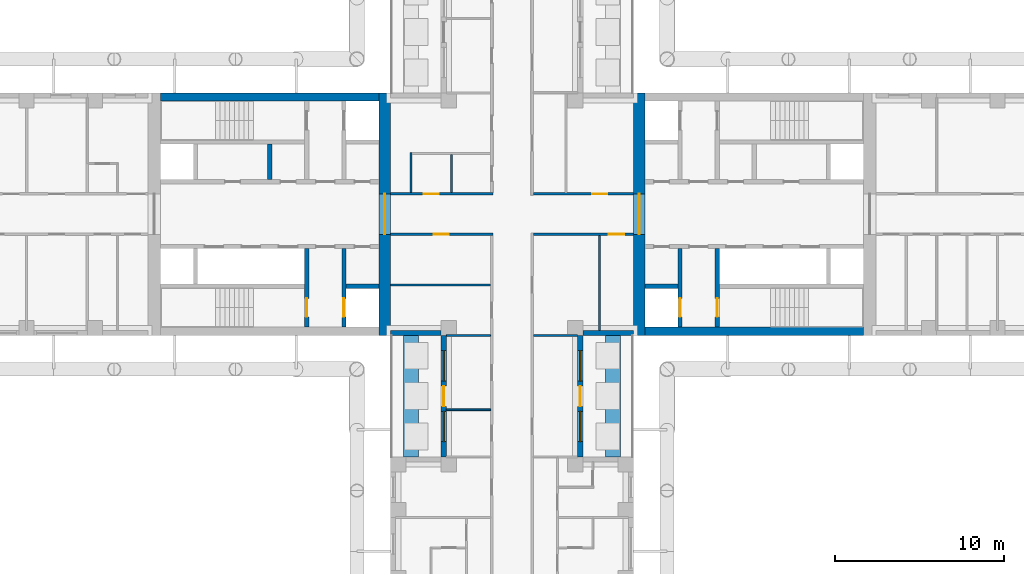
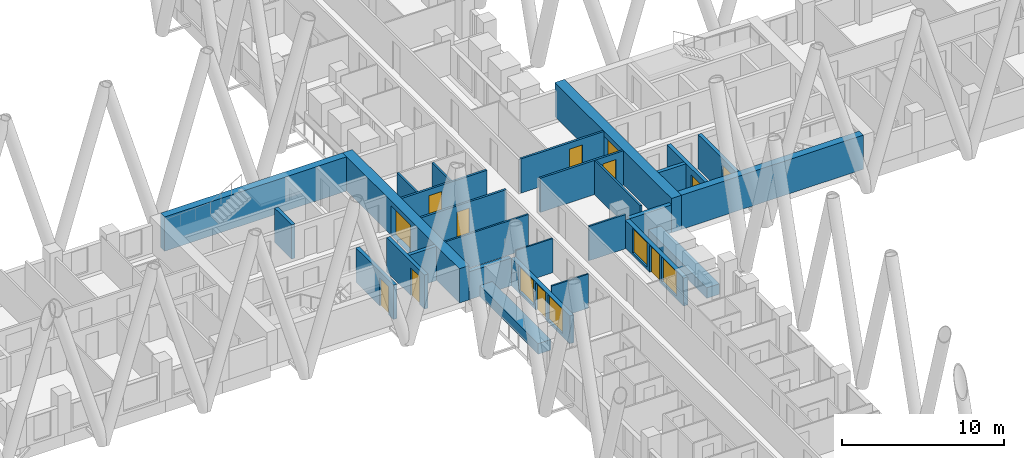
# One storey, part 8 of 16: 28 walls, 12 doors, 4 windows, 16 openings.
"""IFC4 building model written with IfcOpenShell, lengths in metres."""

from ifc_helpers import new_model, si_unit, direction, frame, frame_2d, origin, place, context, subcontext, project, spatial, rectangle, extrude, material, layer, layer_set, type_object, element, fill, save


model = new_model("IFC4")

# Units and contexts
model_context = context("Model", 3, precision=1e-05, world=origin(), true_north=direction((0.0, 1.0)))
body_context = subcontext(model_context, "Body", "Model", "MODEL_VIEW")
ifc_project = project(units=[si_unit("LENGTHUNIT", "METRE"), si_unit("AREAUNIT", "SQUARE_METRE"), si_unit("VOLUMEUNIT", "CUBIC_METRE"), si_unit("PLANEANGLEUNIT", "RADIAN"), si_unit("MASSUNIT", "GRAM", prefix="KILO")], contexts=[model_context])

# Site, building, storey
site_placement = place(None, origin())
site = spatial("IfcSite", under=ifc_project, at=site_placement, CompositionType="ELEMENT")
building_placement = place(site_placement, origin())
building = spatial("IfcBuilding", under=site, at=building_placement, Name="Fustian Cross Tower", CompositionType="ELEMENT")
storey_placement = place(building_placement, frame((0.0, 0.0, 20.699951171875)))
storey = spatial("IfcBuildingStorey", under=building, at=storey_placement, Name="L05", CompositionType="ELEMENT", Elevation=20.699951171875)

# Wall, opening, door
ifc_material_1 = material(Name="Plasterboard on steel stud", Category="steel")
ifc_layer_1 = layer(ifc_material_1, 0.14990234375)
ifc_layer_set_1 = layer_set([ifc_layer_1], Name="Plasterboard on steel stud")
wall_type_1 = type_object("IfcWallType", Name="COMPARTMENT WALL 150 EI 60", PredefinedType="PARTITIONING", material=ifc_layer_set_1)
wall_1_placement = place(storey_placement, frame((-7.199951171875, -1.199951171875, 0.0), z_axis=(0.0, 0.0, 1.0), x_axis=(1.0, 0.0, 0.0)))
wall_1 = element("IfcWall", 1, at=wall_1_placement, inside=storey, type_object=wall_type_1, Name="Partition 15", PredefinedType="PARTITIONING", context=body_context, shape_type="SweptSolid", body=[
    extrude(rectangle(XDim=6.074951171875, YDim=0.14990234375, at=frame_2d((3.03759765625, 0.0))), origin(), (0.0, 0.0, 1.0), 2.574951171875),
])
opening_1_placement = place(wall_1_placement, frame((2.550048828125, 0.0, 0.0)))
opening_1 = element("IfcOpeningElement", 2, at=opening_1_placement, cuts=wall_1, Name="Opening D05008", PredefinedType="OPENING", context=body_context, shape_type="SweptSolid", body=[
    extrude(rectangle(XDim=0.89990234375, YDim=2.10009765625, at=frame_2d((0.449951171875, 1.050048828125))), frame((0.0, 0.0849609375, 0.0), z_axis=(0.0, -1.0, 0.0), x_axis=(1.0, 0.0, 0.0)), (0.0, 0.0, 1.0), 0.169921875),
])
ifc_material_2 = material(Name="Timber fire door set", Category="wood")
door_type_1 = type_object("IfcDoorType", Name="FIRE SWING DOOR 900 FD30S", OperationType="SINGLE_SWING_LEFT", PredefinedType="DOOR", material=ifc_material_2)
door_1_placement = place(opening_1_placement, frame((0.89990234375, 0.0, 0.0), z_axis=(0.0, 0.0, 1.0), x_axis=(-1.0, 0.0, 0.0)))
door_1 = element("IfcDoor", 3, at=door_1_placement, inside=storey, type_object=door_type_1, Name="Door D05008", OperationType="SINGLE_SWING_RIGHT", OverallHeight=2.10009765625, OverallWidth=0.89990234375, PredefinedType="DOOR", context=body_context, shape_type="SweptSolid", body=[
    extrude(rectangle(XDim=0.89990234375, YDim=2.10009765625, at=frame_2d((0.449951171875, 1.050048828125))), frame((0.0, 0.02490234375, 0.0), z_axis=(0.0, -1.0, 0.0), x_axis=(1.0, 0.0, 0.0)), (0.0, 0.0, 1.0), 0.050048828125),
])
fill(opening_1, door_1)

wall_2_placement = place(storey_placement, frame((-7.199951171875, 1.199951171875, 0.0), z_axis=(0.0, 0.0, 1.0), x_axis=(1.0, 0.0, 0.0)))
wall_2 = element("IfcWall", 4, at=wall_2_placement, inside=storey, type_object=wall_type_1, Name="Partition 16", PredefinedType="PARTITIONING", context=body_context, shape_type="SweptSolid", body=[
    extrude(rectangle(XDim=6.074951171875, YDim=0.14990234375, at=frame_2d((3.03759765625, 0.0))), origin(), (0.0, 0.0, 1.0), 2.574951171875),
])
opening_2_placement = place(wall_2_placement, frame((1.949951171875, 0.0, 0.0)))
opening_2 = element("IfcOpeningElement", 5, at=opening_2_placement, cuts=wall_2, Name="Opening D05004", PredefinedType="OPENING", context=body_context, shape_type="SweptSolid", body=[
    extrude(rectangle(XDim=0.89990234375, YDim=2.10009765625, at=frame_2d((0.449951171875, 1.050048828125))), frame((0.0, 0.0849609375, 0.0), z_axis=(0.0, -1.0, 0.0), x_axis=(1.0, 0.0, 0.0)), (0.0, 0.0, 1.0), 0.169921875),
])
door_2_placement = place(opening_2_placement, origin())
door_2 = element("IfcDoor", 6, at=door_2_placement, inside=storey, type_object=door_type_1, Name="Door D05004", OperationType="SINGLE_SWING_LEFT", OverallHeight=2.10009765625, OverallWidth=0.89990234375, PredefinedType="DOOR", context=body_context, shape_type="SweptSolid", body=[
    extrude(rectangle(XDim=0.89990234375, YDim=2.10009765625, at=frame_2d((0.449951171875, 1.050048828125))), frame((0.0, 0.02490234375, 0.0), z_axis=(0.0, -1.0, 0.0), x_axis=(1.0, 0.0, 0.0)), (0.0, 0.0, 1.0), 0.050048828125),
])
fill(opening_2, door_2)

wall_3_placement = place(storey_placement, frame((1.27490234375, -1.199951171875, 0.0), z_axis=(0.0, 0.0, 1.0), x_axis=(1.0, 0.0, 0.0)))
wall_3 = element("IfcWall", 7, at=wall_3_placement, inside=storey, type_object=wall_type_1, Name="Partition 57", PredefinedType="PARTITIONING", context=body_context, shape_type="SweptSolid", body=[
    extrude(rectangle(XDim=5.925048828125, YDim=0.14990234375, at=frame_2d((2.96240234375, 0.0))), origin(), (0.0, 0.0, 1.0), 2.574951171875),
])
opening_3_placement = place(wall_3_placement, frame((4.47509765625, 0.0, 0.0)))
opening_3 = element("IfcOpeningElement", 8, at=opening_3_placement, cuts=wall_3, Name="Opening D05007", PredefinedType="OPENING", context=body_context, shape_type="SweptSolid", body=[
    extrude(rectangle(XDim=0.89990234375, YDim=2.10009765625, at=frame_2d((0.449951171875, 1.050048828125))), frame((0.0, 0.0849609375, 0.0), z_axis=(0.0, -1.0, 0.0), x_axis=(1.0, 0.0, 0.0)), (0.0, 0.0, 1.0), 0.169921875),
])
door_3_placement = place(opening_3_placement, frame((0.89990234375, 0.0, 0.0), z_axis=(0.0, 0.0, 1.0), x_axis=(-1.0, 0.0, 0.0)))
door_3 = element("IfcDoor", 9, at=door_3_placement, inside=storey, type_object=door_type_1, Name="Door D05007", OperationType="SINGLE_SWING_RIGHT", OverallHeight=2.10009765625, OverallWidth=0.89990234375, PredefinedType="DOOR", context=body_context, shape_type="SweptSolid", body=[
    extrude(rectangle(XDim=0.89990234375, YDim=2.10009765625, at=frame_2d((0.449951171875, 1.050048828125))), frame((0.0, 0.02490234375, 0.0), z_axis=(0.0, -1.0, 0.0), x_axis=(1.0, 0.0, 0.0)), (0.0, 0.0, 1.0), 0.050048828125),
])
fill(opening_3, door_3)

wall_4_placement = place(storey_placement, frame((1.27490234375, 1.199951171875, 0.0), z_axis=(0.0, 0.0, 1.0), x_axis=(1.0, 0.0, 0.0)))
wall_4 = element("IfcWall", 10, at=wall_4_placement, inside=storey, type_object=wall_type_1, Name="Partition 59", PredefinedType="PARTITIONING", context=body_context, shape_type="SweptSolid", body=[
    extrude(rectangle(XDim=5.925048828125, YDim=0.14990234375, at=frame_2d((2.96240234375, 0.0))), origin(), (0.0, 0.0, 1.0), 2.574951171875),
])
opening_4_placement = place(wall_4_placement, frame((3.47509765625, 0.0, 0.0)))
opening_4 = element("IfcOpeningElement", 11, at=opening_4_placement, cuts=wall_4, Name="Opening D05002", PredefinedType="OPENING", context=body_context, shape_type="SweptSolid", body=[
    extrude(rectangle(XDim=0.89990234375, YDim=2.10009765625, at=frame_2d((0.449951171875, 1.050048828125))), frame((0.0, 0.0849609375, 0.0), z_axis=(0.0, -1.0, 0.0), x_axis=(1.0, 0.0, 0.0)), (0.0, 0.0, 1.0), 0.169921875),
])
door_4_placement = place(opening_4_placement, origin())
door_4 = element("IfcDoor", 12, at=door_4_placement, inside=storey, type_object=door_type_1, Name="Door D05002", OperationType="SINGLE_SWING_LEFT", OverallHeight=2.10009765625, OverallWidth=0.89990234375, PredefinedType="DOOR", context=body_context, shape_type="SweptSolid", body=[
    extrude(rectangle(XDim=0.89990234375, YDim=2.10009765625, at=frame_2d((0.449951171875, 1.050048828125))), frame((0.0, 0.02490234375, 0.0), z_axis=(0.0, -1.0, 0.0), x_axis=(1.0, 0.0, 0.0)), (0.0, 0.0, 1.0), 0.050048828125),
])
fill(opening_4, door_4)

ifc_material_3 = material(Name="Concrete C80/95", Category="concrete")
ifc_layer_2 = layer(ifc_material_3, 0.699951171875)
ifc_layer_set_2 = layer_set([ifc_layer_2], Name="Concrete C80/95")
wall_type_2 = type_object("IfcWallType", Name="CORE END WALL 700 C80/95", PredefinedType="SHEAR", material=ifc_layer_set_2)
wall_5_placement = place(storey_placement, frame((7.550048828125, -7.199951171875, 0.0), z_axis=(0.0, 0.0, 1.0), x_axis=(0.0, 1.0, 0.0)))
wall_5 = element("IfcWall", 13, at=wall_5_placement, inside=storey, type_object=wall_type_2, Name="Core end wall", PredefinedType="SHEAR", context=body_context, shape_type="SweptSolid", body=[
    extrude(rectangle(XDim=14.39990234375, YDim=0.699951171875, at=frame_2d((7.199951171875, 0.0))), origin(), (0.0, 0.0, 1.0), 2.574951171875),
])
opening_5_placement = place(wall_5_placement, frame((6.0, 0.0, 0.0)))
opening_5 = element("IfcOpeningElement", 14, at=opening_5_placement, cuts=wall_5, Name="Opening CD-05-12", PredefinedType="OPENING", context=body_context, shape_type="SweptSolid", body=[
    extrude(rectangle(XDim=2.39990234375, YDim=2.199951171875, at=frame_2d((1.199951171875, 1.10009765625))), frame((0.0, 0.35986328125, 0.0), z_axis=(0.0, -1.0, 0.0), x_axis=(1.0, 0.0, 0.0)), (0.0, 0.0, 1.0), 0.719970703125),
])
ifc_material_4 = material(Name="Steel", Category="steel")
door_type_2 = type_object("IfcDoorType", Name="FIRE DOOR FD30S DOUBLE 2400X2200", OperationType="DOUBLE_DOOR_DOUBLE_SWING", PredefinedType="DOOR", material=ifc_material_4)
door_5_placement = place(opening_5_placement, frame((2.39990234375, 0.0, 0.0), z_axis=(0.0, 0.0, 1.0), x_axis=(-1.0, 0.0, 0.0)))
door_5 = element("IfcDoor", 15, at=door_5_placement, inside=storey, type_object=door_type_2, Name="Core door CD-05-12", OperationType="DOUBLE_DOOR_DOUBLE_SWING", OverallHeight=2.199951171875, OverallWidth=2.39990234375, PredefinedType="DOOR", context=body_context, shape_type="SweptSolid", body=[
    extrude(rectangle(XDim=2.39990234375, YDim=2.199951171875, at=frame_2d((1.199951171875, 1.10009765625))), frame((0.0, 0.02490234375, 0.0), z_axis=(0.0, -1.0, 0.0), x_axis=(1.0, 0.0, 0.0)), (0.0, 0.0, 1.0), 0.050048828125),
])
fill(opening_5, door_5)

wall_6_placement = place(storey_placement, frame((-7.550048828125, -7.199951171875, 0.0), z_axis=(0.0, 0.0, 1.0), x_axis=(0.0, 1.0, 0.0)))
wall_6 = element("IfcWall", 16, at=wall_6_placement, inside=storey, type_object=wall_type_2, Name="Core end wall", PredefinedType="SHEAR", context=body_context, shape_type="SweptSolid", body=[
    extrude(rectangle(XDim=14.39990234375, YDim=0.699951171875, at=frame_2d((7.199951171875, 0.0))), origin(), (0.0, 0.0, 1.0), 2.574951171875),
])
opening_6_placement = place(wall_6_placement, frame((6.0, 0.0, 0.0)))
opening_6 = element("IfcOpeningElement", 17, at=opening_6_placement, cuts=wall_6, Name="Opening CD-05-27", PredefinedType="OPENING", context=body_context, shape_type="SweptSolid", body=[
    extrude(rectangle(XDim=2.39990234375, YDim=2.199951171875, at=frame_2d((1.199951171875, 1.10009765625))), frame((0.0, 0.35986328125, 0.0), z_axis=(0.0, -1.0, 0.0), x_axis=(1.0, 0.0, 0.0)), (0.0, 0.0, 1.0), 0.719970703125),
])
door_6_placement = place(opening_6_placement, origin())
door_6 = element("IfcDoor", 18, at=door_6_placement, inside=storey, type_object=door_type_2, Name="Core door CD-05-27", OperationType="DOUBLE_DOOR_DOUBLE_SWING", OverallHeight=2.199951171875, OverallWidth=2.39990234375, PredefinedType="DOOR", context=body_context, shape_type="SweptSolid", body=[
    extrude(rectangle(XDim=2.39990234375, YDim=2.199951171875, at=frame_2d((1.199951171875, 1.10009765625))), frame((0.0, 0.02490234375, 0.0), z_axis=(0.0, -1.0, 0.0), x_axis=(1.0, 0.0, 0.0)), (0.0, 0.0, 1.0), 0.050048828125),
])
fill(opening_6, door_6)

# Walls
ifc_material_5 = material(Name="Concrete C80/95", Category="concrete")
ifc_layer_3 = layer(ifc_material_5, 0.5)
ifc_layer_set_3 = layer_set([ifc_layer_3], Name="Concrete C80/95")
wall_type_3 = type_object("IfcWallType", Name="CORE FACADE WALL 500 C80/95", PredefinedType="SHEAR", material=ifc_layer_set_3)
for number, where, z_axis, x_axis, name in (
    (19, (7.89990234375, -6.949951171875, 0.0), (0.0, 0.0, 1.0), (1.0, 0.0, 0.0), "Core facade wall"),
    (20, (-7.89990234375, 6.949951171875, 0.0), (0.0, 0.0, 1.0), (-1.0, 0.0, 0.0), "Core facade wall"),
):
    element("IfcWall", number, at=place(storey_placement, frame(where, z_axis=z_axis, x_axis=x_axis)), inside=storey, type_object=wall_type_3, Name=name, PredefinedType="SHEAR", context=body_context, shape_type="SweptSolid", body=[
        extrude(rectangle(XDim=12.9501953125, YDim=0.5, at=frame_2d((6.47509765625, 0.0))), origin(), (0.0, 0.0, 1.0), 2.574951171875),
    ])
ifc_material_6 = material(Name="Concrete C50/60", Category="concrete")
ifc_layer_4 = layer(ifc_material_6, 0.25)
ifc_layer_set_4 = layer_set([ifc_layer_4], Name="Concrete C50/60")
wall_type_4 = type_object("IfcWallType", Name="CORE SHAFT WALL 250 C50/60", PredefinedType="SHEAR", material=ifc_layer_set_4)
wall_7_placement = place(storey_placement, frame((7.89990234375, -4.27490234375, 0.0), z_axis=(0.0, 0.0, 1.0), x_axis=(1.0, 0.0, 0.0)))
element("IfcWall", 21, at=wall_7_placement, inside=storey, type_object=wall_type_4, Name="Core shaft wall", PredefinedType="SHEAR", context=body_context, shape_type="SweptSolid", body=[
    extrude(rectangle(XDim=1.9501953125, YDim=0.25, at=frame_2d((0.97509765625, 0.0))), origin(), (0.0, 0.0, 1.0), 2.574951171875),
])

# Wall, opening, door
wall_8_placement = place(storey_placement, frame((9.97509765625, -2.050048828125, 0.0), z_axis=(0.0, 0.0, 1.0), x_axis=(0.0, -1.0, 0.0)))
wall_8 = element("IfcWall", 22, at=wall_8_placement, inside=storey, type_object=wall_type_4, Name="Core shaft wall", PredefinedType="SHEAR", context=body_context, shape_type="SweptSolid", body=[
    extrude(rectangle(XDim=4.64990234375, YDim=0.25, at=frame_2d((2.324951171875, 0.0))), origin(), (0.0, 0.0, 1.0), 2.574951171875),
])
opening_7_placement = place(wall_8_placement, frame((2.949951171875, 0.0, 0.0)))
opening_7 = element("IfcOpeningElement", 23, at=opening_7_placement, cuts=wall_8, Name="Opening LD", PredefinedType="OPENING", context=body_context, shape_type="SweptSolid", body=[
    extrude(rectangle(XDim=1.10009765625, YDim=2.10009765625, at=frame_2d((0.550048828125, 1.050048828125))), frame((0.0, 0.135009765625, 0.0), z_axis=(0.0, -1.0, 0.0), x_axis=(1.0, 0.0, 0.0)), (0.0, 0.0, 1.0), 0.27001953125),
])
ifc_material_7 = material(Name="Stainless steel", Category="steel")
door_type_3 = type_object("IfcDoorType", Name="LIFT LANDING DOOR 1100X2100", OperationType="SLIDING_TO_LEFT", PredefinedType="DOOR", material=ifc_material_7)
door_7_placement = place(opening_7_placement, origin())
door_7 = element("IfcDoor", 24, at=door_7_placement, inside=storey, type_object=door_type_3, Name="Landing door SV1", OperationType="SLIDING_TO_LEFT", OverallHeight=2.10009765625, OverallWidth=1.10009765625, PredefinedType="DOOR", context=body_context, shape_type="SweptSolid", body=[
    extrude(rectangle(XDim=1.10009765625, YDim=2.10009765625, at=frame_2d((0.550048828125, 1.050048828125))), frame((0.0, 0.02490234375, 0.0), z_axis=(0.0, -1.0, 0.0), x_axis=(1.0, 0.0, 0.0)), (0.0, 0.0, 1.0), 0.050048828125),
])
fill(opening_7, door_7)

wall_9_placement = place(storey_placement, frame((12.175048828125, -2.050048828125, 0.0), z_axis=(0.0, 0.0, 1.0), x_axis=(0.0, -1.0, 0.0)))
wall_9 = element("IfcWall", 25, at=wall_9_placement, inside=storey, type_object=wall_type_4, Name="Core shaft wall", PredefinedType="SHEAR", context=body_context, shape_type="SweptSolid", body=[
    extrude(rectangle(XDim=4.64990234375, YDim=0.25, at=frame_2d((2.324951171875, 0.0))), origin(), (0.0, 0.0, 1.0), 2.574951171875),
])
opening_8_placement = place(wall_9_placement, frame((2.949951171875, 0.0, 0.0)))
opening_8 = element("IfcOpeningElement", 26, at=opening_8_placement, cuts=wall_9, Name="Opening CD-05-07", PredefinedType="OPENING", context=body_context, shape_type="SweptSolid", body=[
    extrude(rectangle(XDim=1.10009765625, YDim=2.10009765625, at=frame_2d((0.550048828125, 1.050048828125))), frame((0.0, 0.135009765625, 0.0), z_axis=(0.0, -1.0, 0.0), x_axis=(1.0, 0.0, 0.0)), (0.0, 0.0, 1.0), 0.27001953125),
])
ifc_material_8 = material(Name="Steel", Category="steel")
door_type_4 = type_object("IfcDoorType", Name="FIRE DOOR FD60S 1100X2100", OperationType="SINGLE_SWING_LEFT", PredefinedType="DOOR", material=ifc_material_8)
door_8_placement = place(opening_8_placement, origin())
door_8 = element("IfcDoor", 27, at=door_8_placement, inside=storey, type_object=door_type_4, Name="Core door CD-05-07", OperationType="SINGLE_SWING_LEFT", OverallHeight=2.10009765625, OverallWidth=1.10009765625, PredefinedType="DOOR", context=body_context, shape_type="SweptSolid", body=[
    extrude(rectangle(XDim=1.10009765625, YDim=2.10009765625, at=frame_2d((0.550048828125, 1.050048828125))), frame((0.0, 0.02490234375, 0.0), z_axis=(0.0, -1.0, 0.0), x_axis=(1.0, 0.0, 0.0)), (0.0, 0.0, 1.0), 0.050048828125),
])
fill(opening_8, door_8)

# Wall
wall_10_placement = place(storey_placement, frame((-7.89990234375, -4.27490234375, 0.0), z_axis=(0.0, 0.0, 1.0), x_axis=(-1.0, 0.0, 0.0)))
element("IfcWall", 28, at=wall_10_placement, inside=storey, type_object=wall_type_4, Name="Core shaft wall", PredefinedType="SHEAR", context=body_context, shape_type="SweptSolid", body=[
    extrude(rectangle(XDim=1.9501953125, YDim=0.25, at=frame_2d((0.97509765625, 0.0))), origin(), (0.0, 0.0, 1.0), 2.574951171875),
])

# Wall, opening, door
wall_11_placement = place(storey_placement, frame((-9.97509765625, -2.050048828125, 0.0), z_axis=(0.0, 0.0, 1.0), x_axis=(0.0, -1.0, 0.0)))
wall_11 = element("IfcWall", 29, at=wall_11_placement, inside=storey, type_object=wall_type_4, Name="Core shaft wall", PredefinedType="SHEAR", context=body_context, shape_type="SweptSolid", body=[
    extrude(rectangle(XDim=4.64990234375, YDim=0.25, at=frame_2d((2.324951171875, 0.0))), origin(), (0.0, 0.0, 1.0), 2.574951171875),
])
opening_9_placement = place(wall_11_placement, frame((2.949951171875, 0.0, 0.0)))
opening_9 = element("IfcOpeningElement", 30, at=opening_9_placement, cuts=wall_11, Name="Opening LD", PredefinedType="OPENING", context=body_context, shape_type="SweptSolid", body=[
    extrude(rectangle(XDim=1.10009765625, YDim=2.10009765625, at=frame_2d((0.550048828125, 1.050048828125))), frame((0.0, 0.135009765625, 0.0), z_axis=(0.0, -1.0, 0.0), x_axis=(1.0, 0.0, 0.0)), (0.0, 0.0, 1.0), 0.27001953125),
])
door_9_placement = place(opening_9_placement, origin())
door_9 = element("IfcDoor", 31, at=door_9_placement, inside=storey, type_object=door_type_3, Name="Landing door SV1W", OperationType="SLIDING_TO_LEFT", OverallHeight=2.10009765625, OverallWidth=1.10009765625, PredefinedType="DOOR", context=body_context, shape_type="SweptSolid", body=[
    extrude(rectangle(XDim=1.10009765625, YDim=2.10009765625, at=frame_2d((0.550048828125, 1.050048828125))), frame((0.0, 0.02490234375, 0.0), z_axis=(0.0, -1.0, 0.0), x_axis=(1.0, 0.0, 0.0)), (0.0, 0.0, 1.0), 0.050048828125),
])
fill(opening_9, door_9)

wall_12_placement = place(storey_placement, frame((-12.175048828125, -2.050048828125, 0.0), z_axis=(0.0, 0.0, 1.0), x_axis=(0.0, -1.0, 0.0)))
wall_12 = element("IfcWall", 32, at=wall_12_placement, inside=storey, type_object=wall_type_4, Name="Core shaft wall", PredefinedType="SHEAR", context=body_context, shape_type="SweptSolid", body=[
    extrude(rectangle(XDim=4.64990234375, YDim=0.25, at=frame_2d((2.324951171875, 0.0))), origin(), (0.0, 0.0, 1.0), 2.574951171875),
])
opening_10_placement = place(wall_12_placement, frame((2.949951171875, 0.0, 0.0)))
opening_10 = element("IfcOpeningElement", 33, at=opening_10_placement, cuts=wall_12, Name="Opening CD-05-22", PredefinedType="OPENING", context=body_context, shape_type="SweptSolid", body=[
    extrude(rectangle(XDim=1.10009765625, YDim=2.10009765625, at=frame_2d((0.550048828125, 1.050048828125))), frame((0.0, 0.135009765625, 0.0), z_axis=(0.0, -1.0, 0.0), x_axis=(1.0, 0.0, 0.0)), (0.0, 0.0, 1.0), 0.27001953125),
])
door_10_placement = place(opening_10_placement, frame((1.10009765625, 0.0, 0.0), z_axis=(0.0, 0.0, 1.0), x_axis=(-1.0, 0.0, 0.0)))
door_10 = element("IfcDoor", 34, at=door_10_placement, inside=storey, type_object=door_type_4, Name="Core door CD-05-22", OperationType="SINGLE_SWING_RIGHT", OverallHeight=2.10009765625, OverallWidth=1.10009765625, PredefinedType="DOOR", context=body_context, shape_type="SweptSolid", body=[
    extrude(rectangle(XDim=1.10009765625, YDim=2.10009765625, at=frame_2d((0.550048828125, 1.050048828125))), frame((0.0, 0.02490234375, 0.0), z_axis=(0.0, -1.0, 0.0), x_axis=(1.0, 0.0, 0.0)), (0.0, 0.0, 1.0), 0.050048828125),
])
fill(opening_10, door_10)

# Walls
ifc_material_9 = material(Name="Plasterboard on steel stud", Category="steel")
ifc_layer_5 = layer(ifc_material_9, 0.10009765625)
ifc_layer_set_5 = layer_set([ifc_layer_5], Name="Plasterboard on steel stud")
wall_type_5 = type_object("IfcWallType", Name="PARTITION 100 STUD", PredefinedType="PARTITIONING", material=ifc_layer_set_5)
for number, where, z_axis, x_axis, name in (
    (35, (-3.89990234375, -11.60009765625, 0.0), (0.0, 0.0, 1.0), (1.0, 0.0, 0.0), "Partition 43"),
    (36, (-3.89990234375, -7.199951171875, 0.0), (0.0, 0.0, 1.0), (1.0, 0.0, 0.0), "Partition 44"),
):
    element("IfcWall", number, at=place(storey_placement, frame(where, z_axis=z_axis, x_axis=x_axis)), inside=storey, type_object=wall_type_5, Name=name, PredefinedType="PARTITIONING", context=body_context, shape_type="SweptSolid", body=[
        extrude(rectangle(XDim=2.625, YDim=0.10009765625, at=frame_2d((1.3125, 0.0))), origin(), (0.0, 0.0, 1.0), 2.574951171875),
    ])
ifc_material_10 = material(Name="Concrete C40/50", Category="concrete")
ifc_layer_6 = layer(ifc_material_10, 0.89990234375)
ifc_layer_set_6 = layer_set([ifc_layer_6], Name="Concrete C40/50")
wall_type_6 = type_object("IfcWallType", Name="PK1 PLANTER 900", PredefinedType="PARAPET", material=ifc_layer_set_6)
for number, where, z_axis, x_axis, name in (
    (37, (6.0, -14.39990234375, 0.0), (0.0, 0.0, 1.0), (0.0, 1.0, 0.0), "PLANTER"),
    (38, (-6.0, -14.39990234375, 0.0), (0.0, 0.0, 1.0), (0.0, 1.0, 0.0), "PLANTER"),
):
    element("IfcWall", number, at=place(storey_placement, frame(where, z_axis=z_axis, x_axis=x_axis)), inside=storey, type_object=wall_type_6, Name=name, PredefinedType="PARAPET", context=body_context, shape_type="SweptSolid", body=[
        extrude(rectangle(XDim=7.199951171875, YDim=0.89990234375, at=frame_2d((3.60009765625, 0.0))), origin(), (0.0, 0.0, 1.0), 0.800048828125),
    ])
ifc_material_11 = material(Name="Concrete C40/50", Category="concrete")
ifc_layer_7 = layer(ifc_material_11, 0.25)
ifc_layer_set_7 = layer_set([ifc_layer_7], Name="Concrete C40/50")
wall_type_7 = type_object("IfcWallType", Name="SHAFT PARTITION WALL 250 C40/50", PredefinedType="PARTITIONING", material=ifc_layer_set_7)
wall_13_placement = place(storey_placement, frame((-14.375, 2.050048828125, 0.0), z_axis=(0.0, 0.0, 1.0), x_axis=(0.0, 1.0, 0.0)))
element("IfcWall", 39, at=wall_13_placement, inside=storey, type_object=wall_type_7, Name="Core shaft wall", PredefinedType="PARTITIONING", context=body_context, shape_type="SweptSolid", body=[
    extrude(rectangle(XDim=2.099853515625, YDim=0.25, at=frame_2d((1.0498046875, 0.0))), origin(), (0.0, 0.0, 1.0), 2.574951171875),
])
ifc_material_12 = material(Name="Plasterboard on steel stud", Category="steel")
ifc_layer_8 = layer(ifc_material_12, 0.125)
ifc_layer_set_8 = layer_set([ifc_layer_8], Name="Plasterboard on steel stud")
wall_type_8 = type_object("IfcWallType", Name="WET WALL 125 STUD", PredefinedType="PARTITIONING", material=ifc_layer_set_8)
wall_14_placement = place(storey_placement, frame((-7.199951171875, -4.199951171875, 0.0), z_axis=(0.0, 0.0, 1.0), x_axis=(1.0, 0.0, 0.0)))
element("IfcWall", 40, at=wall_14_placement, inside=storey, type_object=wall_type_8, Name="Partition 14", PredefinedType="PARTITIONING", context=body_context, shape_type="SweptSolid", body=[
    extrude(rectangle(XDim=5.925048828125, YDim=0.125, at=frame_2d((2.96240234375, 0.0))), origin(), (0.0, 0.0, 1.0), 2.574951171875),
])
wall_15_placement = place(storey_placement, frame((-6.0, 1.27490234375, 0.0), z_axis=(0.0, 0.0, 1.0), x_axis=(0.0, 1.0, 0.0)))
element("IfcWall", 41, at=wall_15_placement, inside=storey, type_object=wall_type_8, Name="Partition 29", PredefinedType="PARTITIONING", context=body_context, shape_type="SweptSolid", body=[
    extrude(rectangle(XDim=2.3876953125, YDim=0.125, at=frame_2d((1.19384765625, 0.0))), origin(), (0.0, 0.0, 1.0), 2.574951171875),
])
wall_16_placement = place(storey_placement, frame((-3.60009765625, 1.27490234375, 0.0), z_axis=(0.0, 0.0, 1.0), x_axis=(0.0, 1.0, 0.0)))
element("IfcWall", 42, at=wall_16_placement, inside=storey, type_object=wall_type_8, Name="Partition 48", PredefinedType="PARTITIONING", context=body_context, shape_type="SweptSolid", body=[
    extrude(rectangle(XDim=2.2626953125, YDim=0.125, at=frame_2d((1.13134765625, 0.0))), origin(), (0.0, 0.0, 1.0), 2.574951171875),
])
wall_17_placement = place(storey_placement, frame((1.27490234375, -7.199951171875, 0.0), z_axis=(0.0, 0.0, 1.0), x_axis=(1.0, 0.0, 0.0)))
element("IfcWall", 43, at=wall_17_placement, inside=storey, type_object=wall_type_8, Name="Partition 56", PredefinedType="PARTITIONING", context=body_context, shape_type="SweptSolid", body=[
    extrude(rectangle(XDim=2.625, YDim=0.125, at=frame_2d((1.3125, 0.0))), origin(), (0.0, 0.0, 1.0), 2.574951171875),
])
wall_18_placement = place(storey_placement, frame((5.199951171875, -6.89990234375, 0.0), z_axis=(0.0, 0.0, 1.0), x_axis=(0.0, 1.0, 0.0)))
element("IfcWall", 44, at=wall_18_placement, inside=storey, type_object=wall_type_8, Name="Partition 91", PredefinedType="PARTITIONING", context=body_context, shape_type="SweptSolid", body=[
    extrude(rectangle(XDim=5.625, YDim=0.125, at=frame_2d((2.8125, 0.0))), origin(), (0.0, 0.0, 1.0), 2.574951171875),
])
ifc_material_13 = material(Name="Dark aluminium cladding on insulated backing wall", Category="aluminium")
ifc_layer_9 = layer(ifc_material_13, 0.300048828125)
ifc_layer_set_9 = layer_set([ifc_layer_9], Name="Dark aluminium cladding on insulated backing wall")
wall_type_9 = type_object("IfcWallType", Name="XW1 EXTERNAL WALL 300", PredefinedType="SOLIDWALL", material=ifc_layer_set_9)
wall_19_placement = place(storey_placement, frame((-7.199951171875, -7.050048828125, 0.0), z_axis=(0.0, 0.0, 1.0), x_axis=(1.0, 0.0, 0.0)))
element("IfcWall", 45, at=wall_19_placement, inside=storey, type_object=wall_type_9, Name="External wall", PredefinedType="SOLIDWALL", context=body_context, shape_type="SweptSolid", body=[
    extrude(rectangle(XDim=3.0, YDim=0.300048828125, at=frame_2d((1.5, 0.0))), origin(), (0.0, 0.0, 1.0), 2.10009765625),
])

# Wall, openings, door, windows
wall_20_placement = place(storey_placement, frame((-4.050048828125, -7.199951171875, 0.0), z_axis=(0.0, 0.0, 1.0), x_axis=(0.0, -1.0, 0.0)))
wall_20 = element("IfcWall", 46, at=wall_20_placement, inside=storey, type_object=wall_type_9, Name="External wall", PredefinedType="SOLIDWALL", context=body_context, shape_type="SweptSolid", body=[
    extrude(rectangle(XDim=7.199951171875, YDim=0.300048828125, at=frame_2d((3.60009765625, 0.0))), origin(), (0.0, 0.0, 1.0), 2.10009765625),
])
opening_11_placement = place(wall_20_placement, frame((3.0, 0.0, 0.0)))
opening_11 = element("IfcOpeningElement", 47, at=opening_11_placement, cuts=wall_20, Name="Opening XD4", PredefinedType="OPENING", context=body_context, shape_type="SweptSolid", body=[
    extrude(rectangle(XDim=1.199951171875, YDim=2.050048828125, at=frame_2d((0.60009765625, 1.02490234375))), frame((0.0, 0.159912109375, 0.0), z_axis=(0.0, -1.0, 0.0), x_axis=(1.0, 0.0, 0.0)), (0.0, 0.0, 1.0), 0.320068359375),
])
opening_12_placement = place(wall_20_placement, frame((0.89990234375, 0.0, 0.199951171875)))
opening_12 = element("IfcOpeningElement", 48, at=opening_12_placement, cuts=wall_20, Name="Opening WN2", PredefinedType="OPENING", context=body_context, shape_type="SweptSolid", body=[
    extrude(rectangle(XDim=1.800048828125, YDim=1.85009765625, at=frame_2d((0.89990234375, 0.925048828125))), frame((0.0, 0.159912109375, 0.0), z_axis=(0.0, -1.0, 0.0), x_axis=(1.0, 0.0, 0.0)), (0.0, 0.0, 1.0), 0.320068359375),
])
opening_13_placement = place(wall_20_placement, frame((4.5, 0.0, 0.199951171875)))
opening_13 = element("IfcOpeningElement", 49, at=opening_13_placement, cuts=wall_20, Name="Opening WN2", PredefinedType="OPENING", context=body_context, shape_type="SweptSolid", body=[
    extrude(rectangle(XDim=1.800048828125, YDim=1.85009765625, at=frame_2d((0.89990234375, 0.925048828125))), frame((0.0, 0.159912109375, 0.0), z_axis=(0.0, -1.0, 0.0), x_axis=(1.0, 0.0, 0.0)), (0.0, 0.0, 1.0), 0.320068359375),
])
ifc_material_14 = material(Name="Dark anodised aluminium and double glazing", Category="aluminium")
door_type_5 = type_object("IfcDoorType", Name="ED1 BALCONY DOOR 1200X2050", OperationType="SINGLE_SWING_LEFT", PredefinedType="DOOR", material=ifc_material_14)
door_11_placement = place(opening_11_placement, origin())
door_11 = element("IfcDoor", 50, at=door_11_placement, inside=storey, type_object=door_type_5, Name="Balcony door", OperationType="SINGLE_SWING_LEFT", OverallHeight=2.050048828125, OverallWidth=1.199951171875, PredefinedType="DOOR", context=body_context, shape_type="SweptSolid", body=[
    extrude(rectangle(XDim=1.199951171875, YDim=2.050048828125, at=frame_2d((0.60009765625, 1.02490234375))), frame((0.0, 0.02490234375, 0.0), z_axis=(0.0, -1.0, 0.0), x_axis=(1.0, 0.0, 0.0)), (0.0, 0.0, 1.0), 0.050048828125),
])
fill(opening_11, door_11)
ifc_material_15 = material(Name="Dark anodised aluminium and double glazing", Category="aluminium")
window_type = type_object("IfcWindowType", Name="WN2 WINDOW 1800X1850", PartitioningType="SINGLE_PANEL", PredefinedType="WINDOW", material=ifc_material_15)
window_1_placement = place(opening_12_placement, origin())
window_1 = element("IfcWindow", 51, at=window_1_placement, inside=storey, type_object=window_type, Name="Window", OverallHeight=1.85009765625, OverallWidth=1.800048828125, PartitioningType="SINGLE_PANEL", PredefinedType="WINDOW", context=body_context, shape_type="SweptSolid", body=[
    extrude(rectangle(XDim=1.800048828125, YDim=1.85009765625, at=frame_2d((0.89990234375, 0.925048828125))), frame((0.0, 0.030029296875, 0.0), z_axis=(0.0, -1.0, 0.0), x_axis=(1.0, 0.0, 0.0)), (0.0, 0.0, 1.0), 0.06005859375),
])
fill(opening_12, window_1)
window_2_placement = place(opening_13_placement, origin())
window_2 = element("IfcWindow", 52, at=window_2_placement, inside=storey, type_object=window_type, Name="Window", OverallHeight=1.85009765625, OverallWidth=1.800048828125, PartitioningType="SINGLE_PANEL", PredefinedType="WINDOW", context=body_context, shape_type="SweptSolid", body=[
    extrude(rectangle(XDim=1.800048828125, YDim=1.85009765625, at=frame_2d((0.89990234375, 0.925048828125))), frame((0.0, 0.030029296875, 0.0), z_axis=(0.0, -1.0, 0.0), x_axis=(1.0, 0.0, 0.0)), (0.0, 0.0, 1.0), 0.06005859375),
])
fill(opening_13, window_2)

wall_21_placement = place(storey_placement, frame((4.050048828125, -14.39990234375, 0.0), z_axis=(0.0, 0.0, 1.0), x_axis=(0.0, 1.0, 0.0)))
wall_21 = element("IfcWall", 53, at=wall_21_placement, inside=storey, type_object=wall_type_9, Name="External wall", PredefinedType="SOLIDWALL", context=body_context, shape_type="SweptSolid", body=[
    extrude(rectangle(XDim=7.199951171875, YDim=0.300048828125, at=frame_2d((3.60009765625, 0.0))), origin(), (0.0, 0.0, 1.0), 2.10009765625),
])
opening_14_placement = place(wall_21_placement, frame((3.0, 0.0, 0.0)))
opening_14 = element("IfcOpeningElement", 54, at=opening_14_placement, cuts=wall_21, Name="Opening XD3", PredefinedType="OPENING", context=body_context, shape_type="SweptSolid", body=[
    extrude(rectangle(XDim=1.199951171875, YDim=2.050048828125, at=frame_2d((0.60009765625, 1.02490234375))), frame((0.0, 0.159912109375, 0.0), z_axis=(0.0, -1.0, 0.0), x_axis=(1.0, 0.0, 0.0)), (0.0, 0.0, 1.0), 0.320068359375),
])
opening_15_placement = place(wall_21_placement, frame((0.89990234375, 0.0, 0.199951171875)))
opening_15 = element("IfcOpeningElement", 55, at=opening_15_placement, cuts=wall_21, Name="Opening WN2", PredefinedType="OPENING", context=body_context, shape_type="SweptSolid", body=[
    extrude(rectangle(XDim=1.800048828125, YDim=1.85009765625, at=frame_2d((0.89990234375, 0.925048828125))), frame((0.0, 0.159912109375, 0.0), z_axis=(0.0, -1.0, 0.0), x_axis=(1.0, 0.0, 0.0)), (0.0, 0.0, 1.0), 0.320068359375),
])
opening_16_placement = place(wall_21_placement, frame((4.5, 0.0, 0.199951171875)))
opening_16 = element("IfcOpeningElement", 56, at=opening_16_placement, cuts=wall_21, Name="Opening WN2", PredefinedType="OPENING", context=body_context, shape_type="SweptSolid", body=[
    extrude(rectangle(XDim=1.800048828125, YDim=1.85009765625, at=frame_2d((0.89990234375, 0.925048828125))), frame((0.0, 0.159912109375, 0.0), z_axis=(0.0, -1.0, 0.0), x_axis=(1.0, 0.0, 0.0)), (0.0, 0.0, 1.0), 0.320068359375),
])
door_12_placement = place(opening_14_placement, origin())
door_12 = element("IfcDoor", 57, at=door_12_placement, inside=storey, type_object=door_type_5, Name="Balcony door", OperationType="SINGLE_SWING_LEFT", OverallHeight=2.050048828125, OverallWidth=1.199951171875, PredefinedType="DOOR", context=body_context, shape_type="SweptSolid", body=[
    extrude(rectangle(XDim=1.199951171875, YDim=2.050048828125, at=frame_2d((0.60009765625, 1.02490234375))), frame((0.0, 0.02490234375, 0.0), z_axis=(0.0, -1.0, 0.0), x_axis=(1.0, 0.0, 0.0)), (0.0, 0.0, 1.0), 0.050048828125),
])
fill(opening_14, door_12)
window_3_placement = place(opening_15_placement, origin())
window_3 = element("IfcWindow", 58, at=window_3_placement, inside=storey, type_object=window_type, Name="Window", OverallHeight=1.85009765625, OverallWidth=1.800048828125, PartitioningType="SINGLE_PANEL", PredefinedType="WINDOW", context=body_context, shape_type="SweptSolid", body=[
    extrude(rectangle(XDim=1.800048828125, YDim=1.85009765625, at=frame_2d((0.89990234375, 0.925048828125))), frame((0.0, 0.030029296875, 0.0), z_axis=(0.0, -1.0, 0.0), x_axis=(1.0, 0.0, 0.0)), (0.0, 0.0, 1.0), 0.06005859375),
])
fill(opening_15, window_3)
window_4_placement = place(opening_16_placement, origin())
window_4 = element("IfcWindow", 59, at=window_4_placement, inside=storey, type_object=window_type, Name="Window", OverallHeight=1.85009765625, OverallWidth=1.800048828125, PartitioningType="SINGLE_PANEL", PredefinedType="WINDOW", context=body_context, shape_type="SweptSolid", body=[
    extrude(rectangle(XDim=1.800048828125, YDim=1.85009765625, at=frame_2d((0.89990234375, 0.925048828125))), frame((0.0, 0.030029296875, 0.0), z_axis=(0.0, -1.0, 0.0), x_axis=(1.0, 0.0, 0.0)), (0.0, 0.0, 1.0), 0.06005859375),
])
fill(opening_16, window_4)

# Wall
wall_22_placement = place(storey_placement, frame((4.199951171875, -7.050048828125, 0.0), z_axis=(0.0, 0.0, 1.0), x_axis=(1.0, 0.0, 0.0)))
element("IfcWall", 60, at=wall_22_placement, inside=storey, type_object=wall_type_9, Name="External wall", PredefinedType="SOLIDWALL", context=body_context, shape_type="SweptSolid", body=[
    extrude(rectangle(XDim=3.0, YDim=0.300048828125, at=frame_2d((1.5, 0.0))), origin(), (0.0, 0.0, 1.0), 2.10009765625),
])

save(model, "model.ifc")
